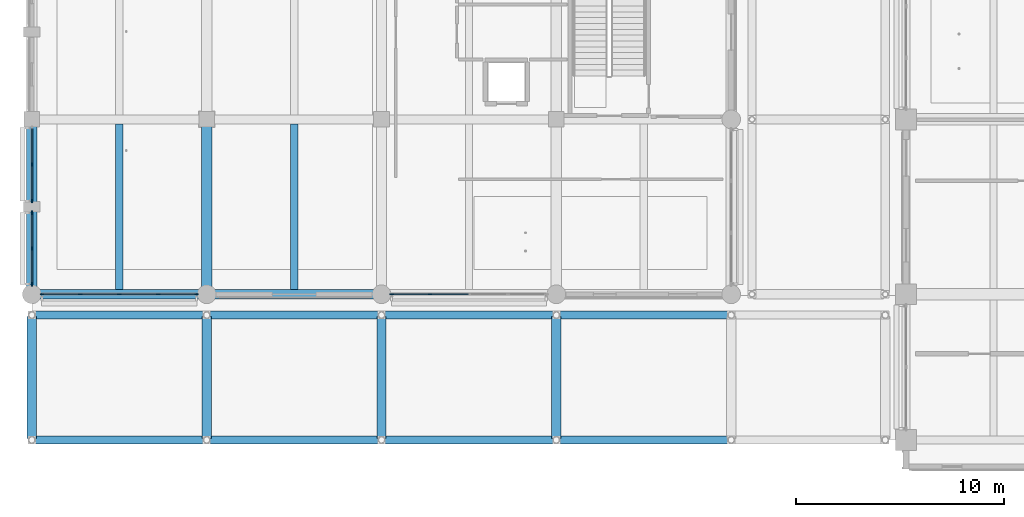
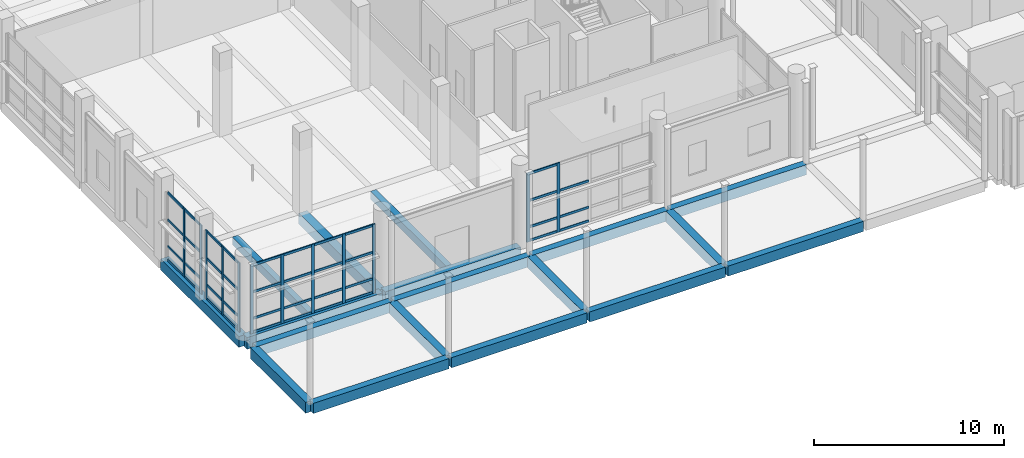
# One storey, part 17 of 140: 51 members, 18 beams, 4 elements without a shape of their own.
"""IFC4 building model written with IfcOpenShell, lengths in metres."""

from ifc_helpers import new_model, si_unit, direction, frame, origin, origin_2d, place, context, subcontext, project, spatial, rectangle, extrude, material, layer, layer_set, material_profile, profile_set, type_object, element, aggregate, save


model = new_model("IFC4")

# Units and contexts
model_context = context("Model", 3, precision=1e-05, world=origin(), true_north=direction((0.0, 1.0)))
body_context = subcontext(model_context, "Body", "Model", "MODEL_VIEW")
ifc_project = project(units=[si_unit("LENGTHUNIT", "METRE"), si_unit("AREAUNIT", "SQUARE_METRE"), si_unit("VOLUMEUNIT", "CUBIC_METRE"), si_unit("PLANEANGLEUNIT", "RADIAN"), si_unit("MASSUNIT", "GRAM", prefix="KILO")], contexts=[model_context])

# Site, building, storey
site_placement = place(None, origin())
site = spatial("IfcSite", under=ifc_project, at=site_placement, CompositionType="ELEMENT")
building_placement = place(site_placement, origin())
building = spatial("IfcBuilding", under=site, at=building_placement, Name="Telukmera Botanical Conservatory", CompositionType="ELEMENT")
storey_placement = place(building_placement, origin())
storey = spatial("IfcBuildingStorey", under=building, at=storey_placement, Name="L00", CompositionType="ELEMENT", Elevation=0.0)

# Beams
ifc_material_1 = material(Name="Concrete C40/50", Category="concrete")
ifc_material_profile_1 = material_profile(ifc_material_1, rectangle(XDim=0.5, YDim=0.699951171875, at=origin_2d()), Name="RC 500x700")
ifc_profile_set_1 = profile_set([ifc_material_profile_1], Name="Concrete C40/50")
beam_type_1 = type_object("IfcBeamType", Name="Beam_B14", PredefinedType="BEAM", material=ifc_profile_set_1)
for number, where, z_axis, x_axis, name in (
    (1, (8.39990234375, 17.679931640625, -0.35009765625), (0.0, 1.0, 0.0), (-1.0, 0.0, 0.0), "Visitor Wing Transverse Beam L00"),
    (2, (16.800048828125, 17.679931640625, -0.35009765625), (0.0, 1.0, 0.0), (-1.0, 0.0, 0.0), "Visitor Wing Transverse Beam L00"),
):
    element("IfcBeam", number, at=place(storey_placement, frame(where, z_axis=z_axis, x_axis=x_axis)), inside=storey, type_object=beam_type_1, Name=name, PredefinedType="BEAM", context=body_context, shape_type="SweptSolid", body=[
        extrude(rectangle(XDim=0.5, YDim=0.699951171875, at=origin_2d()), origin(), (0.0, 0.0, 1.0), 8.239990234375),
    ])
ifc_material_profile_2 = material_profile(ifc_material_1, rectangle(XDim=0.449951171875, YDim=0.699951171875, at=origin_2d()), Name="RC 450x700")
ifc_profile_set_2 = profile_set([ifc_material_profile_2], Name="Concrete C40/50")
beam_type_2 = type_object("IfcBeamType", Name="Beam_B15", PredefinedType="BEAM", material=ifc_profile_set_2)
for number, where, z_axis, x_axis, name in (
    (3, (8.39990234375, 10.679931640625, -0.35009765625), (0.0, 1.0, 0.0), (-1.0, 0.0, 0.0), "Forecourt Deck Transverse Beam L00"),
    (4, (16.800048828125, 10.679931640625, -0.35009765625), (0.0, 1.0, 0.0), (-1.0, 0.0, 0.0), "Forecourt Deck Transverse Beam L00"),
    (5, (25.199951171875, 10.679931640625, -0.35009765625), (0.0, 1.0, 0.0), (-1.0, 0.0, 0.0), "Forecourt Deck Transverse Beam L00"),
    (6, (33.60009765625, 10.679931640625, -0.35009765625), (0.0, 1.0, 0.0), (-1.0, 0.0, 0.0), "Forecourt Deck Transverse Beam L00"),
):
    element("IfcBeam", number, at=place(storey_placement, frame(where, z_axis=z_axis, x_axis=x_axis)), inside=storey, type_object=beam_type_2, Name=name, PredefinedType="BEAM", context=body_context, shape_type="SweptSolid", body=[
        extrude(rectangle(XDim=0.449951171875, YDim=0.699951171875, at=origin_2d()), origin(), (0.0, 0.0, 1.0), 5.840087890625),
    ])
ifc_material_profile_3 = material_profile(ifc_material_1, rectangle(XDim=0.35009765625, YDim=0.5, at=origin_2d()), Name="RC 350x500")
ifc_profile_set_3 = profile_set([ifc_material_profile_3], Name="Concrete C40/50")
beam_type_3 = type_object("IfcBeamType", Name="Beam_B22", PredefinedType="JOIST", material=ifc_profile_set_3)
for number, where, z_axis, x_axis, name in (
    (7, (12.60009765625, 17.824951171875, -0.25), (0.0, 1.0, 0.0), (-1.0, 0.0, 0.0), "Visitor Wing Floor Joist L00"),
    (8, (21.0, 17.824951171875, -0.25), (0.0, 1.0, 0.0), (-1.0, 0.0, 0.0), "Visitor Wing Floor Joist L00"),
):
    element("IfcBeam", number, at=place(storey_placement, frame(where, z_axis=z_axis, x_axis=x_axis)), inside=storey, type_object=beam_type_3, Name=name, PredefinedType="JOIST", context=body_context, shape_type="SweptSolid", body=[
        extrude(rectangle(XDim=0.35009765625, YDim=0.5, at=origin_2d()), origin(), (0.0, 0.0, 1.0), 7.949951171875),
    ])
ifc_material_profile_4 = material_profile(ifc_material_1, rectangle(XDim=0.449951171875, YDim=0.75, at=origin_2d()), Name="RC 450x750")
ifc_profile_set_4 = profile_set([ifc_material_profile_4], Name="Concrete C40/50")
beam_type_4 = type_object("IfcBeamType", Name="Beam_B6", PredefinedType="BEAM", material=ifc_profile_set_4)
beam_1_placement = place(storey_placement, frame((8.47998046875, 17.60009765625, -0.375), z_axis=(1.0, 0.0, 0.0), x_axis=(0.0, 1.0, 0.0)))
element("IfcBeam", 9, at=beam_1_placement, inside=storey, type_object=beam_type_4, Name="Visitor Wing Grid Beam L00", PredefinedType="BEAM", context=body_context, shape_type="SweptSolid", body=[
    extrude(rectangle(XDim=0.449951171875, YDim=0.75, at=origin_2d()), origin(), (0.0, 0.0, 1.0), 8.239990234375),
])
beam_2_placement = place(storey_placement, frame((16.8798828125, 17.60009765625, -0.375), z_axis=(1.0, 0.0, 0.0), x_axis=(0.0, 1.0, 0.0)))
element("IfcBeam", 10, at=beam_2_placement, inside=storey, type_object=beam_type_4, Name="Visitor Wing Grid Beam L00", PredefinedType="BEAM", context=body_context, shape_type="SweptSolid", body=[
    extrude(rectangle(XDim=0.449951171875, YDim=0.75, at=origin_2d()), origin(), (0.0, 0.0, 1.0), 8.240234375),
])
ifc_material_profile_5 = material_profile(ifc_material_1, rectangle(XDim=0.39990234375, YDim=0.64990234375, at=origin_2d()), Name="RC 400x650")
ifc_profile_set_5 = profile_set([ifc_material_profile_5], Name="Concrete C40/50")
beam_type_5 = type_object("IfcBeamType", Name="Beam_B8", PredefinedType="BEAM", material=ifc_profile_set_5)
beam_3_placement = place(storey_placement, frame((8.47998046875, 10.60009765625, -0.324951171875), z_axis=(1.0, 0.0, 0.0), x_axis=(0.0, 1.0, 0.0)))
element("IfcBeam", 11, at=beam_3_placement, inside=storey, type_object=beam_type_5, Name="Forecourt Deck Girder L00", PredefinedType="BEAM", context=body_context, shape_type="SweptSolid", body=[
    extrude(rectangle(XDim=0.39990234375, YDim=0.64990234375, at=origin_2d()), origin(), (0.0, 0.0, 1.0), 8.239990234375),
])
beam_4_placement = place(storey_placement, frame((16.8798828125, 10.60009765625, -0.324951171875), z_axis=(1.0, 0.0, 0.0), x_axis=(0.0, 1.0, 0.0)))
element("IfcBeam", 12, at=beam_4_placement, inside=storey, type_object=beam_type_5, Name="Forecourt Deck Girder L00", PredefinedType="BEAM", context=body_context, shape_type="SweptSolid", body=[
    extrude(rectangle(XDim=0.39990234375, YDim=0.64990234375, at=origin_2d()), origin(), (0.0, 0.0, 1.0), 8.240234375),
])
for number, where, z_axis, x_axis, name in (
    (13, (25.280029296875, 10.60009765625, -0.324951171875), (1.0, 0.0, 0.0), (0.0, 1.0, 0.0), "Forecourt Deck Girder L00"),
    (14, (33.679931640625, 10.60009765625, -0.324951171875), (1.0, 0.0, 0.0), (0.0, 1.0, 0.0), "Forecourt Deck Girder L00"),
    (15, (8.47998046875, 16.60009765625, -0.324951171875), (1.0, 0.0, 0.0), (0.0, 1.0, 0.0), "Forecourt Deck Girder L00"),
):
    element("IfcBeam", number, at=place(storey_placement, frame(where, z_axis=z_axis, x_axis=x_axis)), inside=storey, type_object=beam_type_5, Name=name, PredefinedType="BEAM", context=body_context, shape_type="SweptSolid", body=[
        extrude(rectangle(XDim=0.39990234375, YDim=0.64990234375, at=origin_2d()), origin(), (0.0, 0.0, 1.0), 8.239990234375),
    ])
beam_5_placement = place(storey_placement, frame((16.8798828125, 16.60009765625, -0.324951171875), z_axis=(1.0, 0.0, 0.0), x_axis=(0.0, 1.0, 0.0)))
element("IfcBeam", 16, at=beam_5_placement, inside=storey, type_object=beam_type_5, Name="Forecourt Deck Girder L00", PredefinedType="BEAM", context=body_context, shape_type="SweptSolid", body=[
    extrude(rectangle(XDim=0.39990234375, YDim=0.64990234375, at=origin_2d()), origin(), (0.0, 0.0, 1.0), 8.240234375),
])
for number, where, z_axis, x_axis, name in (
    (17, (25.280029296875, 16.60009765625, -0.324951171875), (1.0, 0.0, 0.0), (0.0, 1.0, 0.0), "Forecourt Deck Girder L00"),
    (18, (33.679931640625, 16.60009765625, -0.324951171875), (1.0, 0.0, 0.0), (0.0, 1.0, 0.0), "Forecourt Deck Girder L00"),
):
    element("IfcBeam", number, at=place(storey_placement, frame(where, z_axis=z_axis, x_axis=x_axis)), inside=storey, type_object=beam_type_5, Name=name, PredefinedType="BEAM", context=body_context, shape_type="SweptSolid", body=[
        extrude(rectangle(XDim=0.39990234375, YDim=0.64990234375, at=origin_2d()), origin(), (0.0, 0.0, 1.0), 8.239990234375),
    ])

# Curtain wall, members
ifc_material_2 = material(Name="Anodised aluminium 6063-T6", Category="aluminium")
ifc_layer = layer(ifc_material_2, 0.179931640625)
ifc_layer_set = layer_set([ifc_layer], Name="Anodised aluminium 6063-T6")
curtain_wall_type = type_object("IfcCurtainWallType", Name="Visitor Colonnade Ground Curtain Wall 1800 Mod", PredefinedType="USERDEFINED", material=ifc_layer_set)
curtain_wall_1_placement = place(storey_placement, origin())
curtain_wall_1 = element("IfcCurtainWall", 19, at=curtain_wall_1_placement, inside=storey, type_object=curtain_wall_type, Name="Unitised Curtain Wall CW06 V3:L00:S1", ObjectType="UNITISED CURTAIN WALL", PredefinedType="USERDEFINED")
ifc_material_profile_6 = material_profile(ifc_material_2, rectangle(XDim=0.070068359375, YDim=0.179931640625, at=origin_2d()), Name="ALU MULL 70x180")
ifc_profile_set_6 = profile_set([ifc_material_profile_6], Name="Anodised aluminium 6063-T6")
member_type_1 = type_object("IfcMemberType", Name="Curtain Wall Extruded Mullion 70x180", PredefinedType="MULLION", material=ifc_profile_set_6)
member_1_placement = place(storey_placement, frame((8.886962890625, 17.60009765625, 0.0), z_axis=(0.0, 0.0, 1.0), x_axis=(0.0, 1.0, 0.0)))
member_1 = element("IfcMember", 20, at=member_1_placement, type_object=member_type_1, Name="CW06 mullion 1", PredefinedType="MULLION", context=body_context, shape_type="SweptSolid", body=[
    extrude(rectangle(XDim=0.070068359375, YDim=0.179931640625, at=origin_2d()), origin(), (0.0, 0.0, 1.0), 4.449951171875),
])
member_2_placement = place(storey_placement, frame((10.72607421875, 17.60009765625, 0.0), z_axis=(0.0, 0.0, 1.0), x_axis=(0.0, 1.0, 0.0)))
member_2 = element("IfcMember", 21, at=member_2_placement, type_object=member_type_1, Name="CW06 mullion 2", PredefinedType="MULLION", context=body_context, shape_type="SweptSolid", body=[
    extrude(rectangle(XDim=0.070068359375, YDim=0.179931640625, at=origin_2d()), origin(), (0.0, 0.0, 1.0), 4.449951171875),
])
member_3_placement = place(storey_placement, frame((12.60009765625, 17.60009765625, 0.0), z_axis=(0.0, 0.0, 1.0), x_axis=(0.0, 1.0, 0.0)))
member_3 = element("IfcMember", 22, at=member_3_placement, type_object=member_type_1, Name="CW06 mullion 3", PredefinedType="MULLION", context=body_context, shape_type="SweptSolid", body=[
    extrude(rectangle(XDim=0.070068359375, YDim=0.179931640625, at=origin_2d()), origin(), (0.0, 0.0, 1.0), 4.449951171875),
])
member_4_placement = place(storey_placement, frame((14.47412109375, 17.60009765625, 0.0), z_axis=(0.0, 0.0, 1.0), x_axis=(0.0, 1.0, 0.0)))
member_4 = element("IfcMember", 23, at=member_4_placement, type_object=member_type_1, Name="CW06 mullion 4", PredefinedType="MULLION", context=body_context, shape_type="SweptSolid", body=[
    extrude(rectangle(XDim=0.070068359375, YDim=0.179931640625, at=origin_2d()), origin(), (0.0, 0.0, 1.0), 4.449951171875),
])
member_5_placement = place(storey_placement, frame((16.31298828125, 17.60009765625, 0.0), z_axis=(0.0, 0.0, 1.0), x_axis=(0.0, 1.0, 0.0)))
member_5 = element("IfcMember", 24, at=member_5_placement, type_object=member_type_1, Name="CW06 mullion 5", PredefinedType="MULLION", context=body_context, shape_type="SweptSolid", body=[
    extrude(rectangle(XDim=0.070068359375, YDim=0.179931640625, at=origin_2d()), origin(), (0.0, 0.0, 1.0), 4.449951171875),
])

curtain_wall_2_placement = place(storey_placement, origin())
curtain_wall_2 = element("IfcCurtainWall", 25, at=curtain_wall_2_placement, inside=storey, type_object=curtain_wall_type, Name="Unitised Curtain Wall CW06 V3:L00:S3", ObjectType="UNITISED CURTAIN WALL", PredefinedType="USERDEFINED")
member_6_placement = place(storey_placement, frame((25.68701171875, 17.60009765625, 0.0), z_axis=(0.0, 0.0, 1.0), x_axis=(0.0, 1.0, 0.0)))
member_6 = element("IfcMember", 26, at=member_6_placement, type_object=member_type_1, Name="CW06 mullion 1", PredefinedType="MULLION", context=body_context, shape_type="SweptSolid", body=[
    extrude(rectangle(XDim=0.070068359375, YDim=0.179931640625, at=origin_2d()), origin(), (0.0, 0.0, 1.0), 4.449951171875),
])
member_7_placement = place(storey_placement, frame((27.52587890625, 17.60009765625, 0.0), z_axis=(0.0, 0.0, 1.0), x_axis=(0.0, 1.0, 0.0)))
member_7 = element("IfcMember", 27, at=member_7_placement, type_object=member_type_1, Name="CW06 mullion 2", PredefinedType="MULLION", context=body_context, shape_type="SweptSolid", body=[
    extrude(rectangle(XDim=0.070068359375, YDim=0.179931640625, at=origin_2d()), origin(), (0.0, 0.0, 1.0), 4.449951171875),
])

curtain_wall_3_placement = place(storey_placement, origin())
curtain_wall_3 = element("IfcCurtainWall", 28, at=curtain_wall_3_placement, inside=storey, type_object=curtain_wall_type, Name="Unitised Curtain Wall CW06 V3:L00:W1A", ObjectType="UNITISED CURTAIN WALL", PredefinedType="USERDEFINED")
member_8_placement = place(storey_placement, frame((8.39990234375, 18.0869140625, 0.0), z_axis=(0.0, 0.0, 1.0), x_axis=(-1.0, 0.0, 0.0)))
member_8 = element("IfcMember", 29, at=member_8_placement, type_object=member_type_1, Name="CW06 mullion 1", PredefinedType="MULLION", context=body_context, shape_type="SweptSolid", body=[
    extrude(rectangle(XDim=0.070068359375, YDim=0.179931640625, at=origin_2d()), origin(), (0.0, 0.0, 1.0), 4.449951171875),
])
member_9_placement = place(storey_placement, frame((8.39990234375, 19.800048828125, 0.0), z_axis=(0.0, 0.0, 1.0), x_axis=(-1.0, 0.0, 0.0)))
member_9 = element("IfcMember", 30, at=member_9_placement, type_object=member_type_1, Name="CW06 mullion 2", PredefinedType="MULLION", context=body_context, shape_type="SweptSolid", body=[
    extrude(rectangle(XDim=0.070068359375, YDim=0.179931640625, at=origin_2d()), origin(), (0.0, 0.0, 1.0), 4.449951171875),
])
member_10_placement = place(storey_placement, frame((8.39990234375, 21.512939453125, 0.0), z_axis=(0.0, 0.0, 1.0), x_axis=(-1.0, 0.0, 0.0)))
member_10 = element("IfcMember", 31, at=member_10_placement, type_object=member_type_1, Name="CW06 mullion 3", PredefinedType="MULLION", context=body_context, shape_type="SweptSolid", body=[
    extrude(rectangle(XDim=0.070068359375, YDim=0.179931640625, at=origin_2d()), origin(), (0.0, 0.0, 1.0), 4.449951171875),
])

curtain_wall_4_placement = place(storey_placement, origin())
curtain_wall_4 = element("IfcCurtainWall", 32, at=curtain_wall_4_placement, inside=storey, type_object=curtain_wall_type, Name="Unitised Curtain Wall CW06 V3:L00:W1B", ObjectType="UNITISED CURTAIN WALL", PredefinedType="USERDEFINED")
member_11_placement = place(storey_placement, frame((8.39990234375, 22.0869140625, 0.0), z_axis=(0.0, 0.0, 1.0), x_axis=(-1.0, 0.0, 0.0)))
member_11 = element("IfcMember", 33, at=member_11_placement, type_object=member_type_1, Name="CW06 mullion 1", PredefinedType="MULLION", context=body_context, shape_type="SweptSolid", body=[
    extrude(rectangle(XDim=0.070068359375, YDim=0.179931640625, at=origin_2d()), origin(), (0.0, 0.0, 1.0), 4.449951171875),
])
member_12_placement = place(storey_placement, frame((8.39990234375, 23.83740234375, 0.0), z_axis=(0.0, 0.0, 1.0), x_axis=(-1.0, 0.0, 0.0)))
member_12 = element("IfcMember", 34, at=member_12_placement, type_object=member_type_1, Name="CW06 mullion 2", PredefinedType="MULLION", context=body_context, shape_type="SweptSolid", body=[
    extrude(rectangle(XDim=0.070068359375, YDim=0.179931640625, at=origin_2d()), origin(), (0.0, 0.0, 1.0), 4.449951171875),
])

# Member
ifc_material_profile_7 = material_profile(ifc_material_2, rectangle(XDim=0.070068359375, YDim=0.14990234375, at=origin_2d()), Name="ALU TRAN 70x150")
ifc_profile_set_7 = profile_set([ifc_material_profile_7], Name="Anodised aluminium 6063-T6")
member_type_2 = type_object("IfcMemberType", Name="Curtain Wall Extruded Transom 70x150", PredefinedType="USERDEFINED", material=ifc_profile_set_7)
member_13_placement = place(storey_placement, frame((8.922119140625, 17.60009765625, 0.074951171875), z_axis=(1.0, 0.0, 0.0), x_axis=(0.0, 1.0, 0.0)))
member_13 = element("IfcMember", 35, at=member_13_placement, type_object=member_type_2, Name="CW06 transom 1.1", ObjectType="TRANSOM", PredefinedType="USERDEFINED", context=body_context, shape_type="SweptSolid", body=[
    extrude(rectangle(XDim=0.070068359375, YDim=0.14990234375, at=origin_2d()), origin(), (0.0, 0.0, 1.0), 1.768798828125),
])

member_14_placement = place(storey_placement, frame((8.922119140625, 17.60009765625, 0.949951171875), z_axis=(1.0, 0.0, 0.0), x_axis=(0.0, 1.0, 0.0)))
member_14 = element("IfcMember", 36, at=member_14_placement, type_object=member_type_2, Name="CW06 transom 1.2", ObjectType="TRANSOM", PredefinedType="USERDEFINED", context=body_context, shape_type="SweptSolid", body=[
    extrude(rectangle(XDim=0.070068359375, YDim=0.14990234375, at=origin_2d()), origin(), (0.0, 0.0, 1.0), 1.768798828125),
])

member_15_placement = place(storey_placement, frame((8.922119140625, 17.60009765625, 2.64990234375), z_axis=(1.0, 0.0, 0.0), x_axis=(0.0, 1.0, 0.0)))
member_15 = element("IfcMember", 37, at=member_15_placement, type_object=member_type_2, Name="CW06 transom 1.3", ObjectType="TRANSOM", PredefinedType="USERDEFINED", context=body_context, shape_type="SweptSolid", body=[
    extrude(rectangle(XDim=0.070068359375, YDim=0.14990234375, at=origin_2d()), origin(), (0.0, 0.0, 1.0), 1.768798828125),
])

member_16_placement = place(storey_placement, frame((8.922119140625, 17.60009765625, 4.375), z_axis=(1.0, 0.0, 0.0), x_axis=(0.0, 1.0, 0.0)))
member_16 = element("IfcMember", 38, at=member_16_placement, type_object=member_type_2, Name="CW06 transom 1.4", ObjectType="TRANSOM", PredefinedType="USERDEFINED", context=body_context, shape_type="SweptSolid", body=[
    extrude(rectangle(XDim=0.070068359375, YDim=0.14990234375, at=origin_2d()), origin(), (0.0, 0.0, 1.0), 1.768798828125),
])

member_17_placement = place(storey_placement, frame((10.760986328125, 17.60009765625, 0.074951171875), z_axis=(1.0, 0.0, 0.0), x_axis=(0.0, 1.0, 0.0)))
member_17 = element("IfcMember", 39, at=member_17_placement, type_object=member_type_2, Name="CW06 transom 2.1", ObjectType="TRANSOM", PredefinedType="USERDEFINED", context=body_context, shape_type="SweptSolid", body=[
    extrude(rectangle(XDim=0.070068359375, YDim=0.14990234375, at=origin_2d()), origin(), (0.0, 0.0, 1.0), 1.803955078125),
])

member_18_placement = place(storey_placement, frame((10.760986328125, 17.60009765625, 0.949951171875), z_axis=(1.0, 0.0, 0.0), x_axis=(0.0, 1.0, 0.0)))
member_18 = element("IfcMember", 40, at=member_18_placement, type_object=member_type_2, Name="CW06 transom 2.2", ObjectType="TRANSOM", PredefinedType="USERDEFINED", context=body_context, shape_type="SweptSolid", body=[
    extrude(rectangle(XDim=0.070068359375, YDim=0.14990234375, at=origin_2d()), origin(), (0.0, 0.0, 1.0), 1.803955078125),
])

member_19_placement = place(storey_placement, frame((10.760986328125, 17.60009765625, 2.64990234375), z_axis=(1.0, 0.0, 0.0), x_axis=(0.0, 1.0, 0.0)))
member_19 = element("IfcMember", 41, at=member_19_placement, type_object=member_type_2, Name="CW06 transom 2.3", ObjectType="TRANSOM", PredefinedType="USERDEFINED", context=body_context, shape_type="SweptSolid", body=[
    extrude(rectangle(XDim=0.070068359375, YDim=0.14990234375, at=origin_2d()), origin(), (0.0, 0.0, 1.0), 1.803955078125),
])

member_20_placement = place(storey_placement, frame((10.760986328125, 17.60009765625, 4.375), z_axis=(1.0, 0.0, 0.0), x_axis=(0.0, 1.0, 0.0)))
member_20 = element("IfcMember", 42, at=member_20_placement, type_object=member_type_2, Name="CW06 transom 2.4", ObjectType="TRANSOM", PredefinedType="USERDEFINED", context=body_context, shape_type="SweptSolid", body=[
    extrude(rectangle(XDim=0.070068359375, YDim=0.14990234375, at=origin_2d()), origin(), (0.0, 0.0, 1.0), 1.803955078125),
])

member_21_placement = place(storey_placement, frame((12.635009765625, 17.60009765625, 0.074951171875), z_axis=(1.0, 0.0, 0.0), x_axis=(0.0, 1.0, 0.0)))
member_21 = element("IfcMember", 43, at=member_21_placement, type_object=member_type_2, Name="CW06 transom 3.1", ObjectType="TRANSOM", PredefinedType="USERDEFINED", context=body_context, shape_type="SweptSolid", body=[
    extrude(rectangle(XDim=0.070068359375, YDim=0.14990234375, at=origin_2d()), origin(), (0.0, 0.0, 1.0), 1.803955078125),
])

member_22_placement = place(storey_placement, frame((12.635009765625, 17.60009765625, 0.949951171875), z_axis=(1.0, 0.0, 0.0), x_axis=(0.0, 1.0, 0.0)))
member_22 = element("IfcMember", 44, at=member_22_placement, type_object=member_type_2, Name="CW06 transom 3.2", ObjectType="TRANSOM", PredefinedType="USERDEFINED", context=body_context, shape_type="SweptSolid", body=[
    extrude(rectangle(XDim=0.070068359375, YDim=0.14990234375, at=origin_2d()), origin(), (0.0, 0.0, 1.0), 1.803955078125),
])

member_23_placement = place(storey_placement, frame((12.635009765625, 17.60009765625, 2.64990234375), z_axis=(1.0, 0.0, 0.0), x_axis=(0.0, 1.0, 0.0)))
member_23 = element("IfcMember", 45, at=member_23_placement, type_object=member_type_2, Name="CW06 transom 3.3", ObjectType="TRANSOM", PredefinedType="USERDEFINED", context=body_context, shape_type="SweptSolid", body=[
    extrude(rectangle(XDim=0.070068359375, YDim=0.14990234375, at=origin_2d()), origin(), (0.0, 0.0, 1.0), 1.803955078125),
])

member_24_placement = place(storey_placement, frame((12.635009765625, 17.60009765625, 4.375), z_axis=(1.0, 0.0, 0.0), x_axis=(0.0, 1.0, 0.0)))
member_24 = element("IfcMember", 46, at=member_24_placement, type_object=member_type_2, Name="CW06 transom 3.4", ObjectType="TRANSOM", PredefinedType="USERDEFINED", context=body_context, shape_type="SweptSolid", body=[
    extrude(rectangle(XDim=0.070068359375, YDim=0.14990234375, at=origin_2d()), origin(), (0.0, 0.0, 1.0), 1.803955078125),
])

member_25_placement = place(storey_placement, frame((14.509033203125, 17.60009765625, 0.074951171875), z_axis=(1.0, 0.0, 0.0), x_axis=(0.0, 1.0, 0.0)))
member_25 = element("IfcMember", 47, at=member_25_placement, type_object=member_type_2, Name="CW06 transom 4.1", ObjectType="TRANSOM", PredefinedType="USERDEFINED", context=body_context, shape_type="SweptSolid", body=[
    extrude(rectangle(XDim=0.070068359375, YDim=0.14990234375, at=origin_2d()), origin(), (0.0, 0.0, 1.0), 1.76904296875),
])

member_26_placement = place(storey_placement, frame((14.509033203125, 17.60009765625, 0.949951171875), z_axis=(1.0, 0.0, 0.0), x_axis=(0.0, 1.0, 0.0)))
member_26 = element("IfcMember", 48, at=member_26_placement, type_object=member_type_2, Name="CW06 transom 4.2", ObjectType="TRANSOM", PredefinedType="USERDEFINED", context=body_context, shape_type="SweptSolid", body=[
    extrude(rectangle(XDim=0.070068359375, YDim=0.14990234375, at=origin_2d()), origin(), (0.0, 0.0, 1.0), 1.76904296875),
])

member_27_placement = place(storey_placement, frame((14.509033203125, 17.60009765625, 2.64990234375), z_axis=(1.0, 0.0, 0.0), x_axis=(0.0, 1.0, 0.0)))
member_27 = element("IfcMember", 49, at=member_27_placement, type_object=member_type_2, Name="CW06 transom 4.3", ObjectType="TRANSOM", PredefinedType="USERDEFINED", context=body_context, shape_type="SweptSolid", body=[
    extrude(rectangle(XDim=0.070068359375, YDim=0.14990234375, at=origin_2d()), origin(), (0.0, 0.0, 1.0), 1.76904296875),
])

member_28_placement = place(storey_placement, frame((14.509033203125, 17.60009765625, 4.375), z_axis=(1.0, 0.0, 0.0), x_axis=(0.0, 1.0, 0.0)))
member_28 = element("IfcMember", 50, at=member_28_placement, type_object=member_type_2, Name="CW06 transom 4.4", ObjectType="TRANSOM", PredefinedType="USERDEFINED", context=body_context, shape_type="SweptSolid", body=[
    extrude(rectangle(XDim=0.070068359375, YDim=0.14990234375, at=origin_2d()), origin(), (0.0, 0.0, 1.0), 1.76904296875),
])

aggregate(curtain_wall_1, [member_1, member_2, member_3, member_4, member_5, member_13, member_14, member_15, member_16, member_17, member_18, member_19, member_20, member_21, member_22, member_23, member_24, member_25, member_26, member_27, member_28])

member_29_placement = place(storey_placement, frame((25.721923828125, 17.60009765625, 0.074951171875), z_axis=(1.0, 0.0, 0.0), x_axis=(0.0, 1.0, 0.0)))
member_29 = element("IfcMember", 51, at=member_29_placement, type_object=member_type_2, Name="CW06 transom 1.1", ObjectType="TRANSOM", PredefinedType="USERDEFINED", context=body_context, shape_type="SweptSolid", body=[
    extrude(rectangle(XDim=0.070068359375, YDim=0.14990234375, at=origin_2d()), origin(), (0.0, 0.0, 1.0), 1.76904296875),
])

member_30_placement = place(storey_placement, frame((25.721923828125, 17.60009765625, 0.949951171875), z_axis=(1.0, 0.0, 0.0), x_axis=(0.0, 1.0, 0.0)))
member_30 = element("IfcMember", 52, at=member_30_placement, type_object=member_type_2, Name="CW06 transom 1.2", ObjectType="TRANSOM", PredefinedType="USERDEFINED", context=body_context, shape_type="SweptSolid", body=[
    extrude(rectangle(XDim=0.070068359375, YDim=0.14990234375, at=origin_2d()), origin(), (0.0, 0.0, 1.0), 1.76904296875),
])

member_31_placement = place(storey_placement, frame((25.721923828125, 17.60009765625, 2.64990234375), z_axis=(1.0, 0.0, 0.0), x_axis=(0.0, 1.0, 0.0)))
member_31 = element("IfcMember", 53, at=member_31_placement, type_object=member_type_2, Name="CW06 transom 1.3", ObjectType="TRANSOM", PredefinedType="USERDEFINED", context=body_context, shape_type="SweptSolid", body=[
    extrude(rectangle(XDim=0.070068359375, YDim=0.14990234375, at=origin_2d()), origin(), (0.0, 0.0, 1.0), 1.76904296875),
])

member_32_placement = place(storey_placement, frame((25.721923828125, 17.60009765625, 4.375), z_axis=(1.0, 0.0, 0.0), x_axis=(0.0, 1.0, 0.0)))
member_32 = element("IfcMember", 54, at=member_32_placement, type_object=member_type_2, Name="CW06 transom 1.4", ObjectType="TRANSOM", PredefinedType="USERDEFINED", context=body_context, shape_type="SweptSolid", body=[
    extrude(rectangle(XDim=0.070068359375, YDim=0.14990234375, at=origin_2d()), origin(), (0.0, 0.0, 1.0), 1.76904296875),
])

member_33_placement = place(storey_placement, frame((27.56103515625, 17.60009765625, 0.074951171875), z_axis=(1.0, 0.0, 0.0), x_axis=(0.0, 1.0, 0.0)))
member_33 = element("IfcMember", 55, at=member_33_placement, type_object=member_type_2, Name="CW06 transom 2.1", ObjectType="TRANSOM", PredefinedType="USERDEFINED", context=body_context, shape_type="SweptSolid", body=[
    extrude(rectangle(XDim=0.070068359375, YDim=0.14990234375, at=origin_2d()), origin(), (0.0, 0.0, 1.0), 1.803955078125),
])

member_34_placement = place(storey_placement, frame((27.56103515625, 17.60009765625, 0.949951171875), z_axis=(1.0, 0.0, 0.0), x_axis=(0.0, 1.0, 0.0)))
member_34 = element("IfcMember", 56, at=member_34_placement, type_object=member_type_2, Name="CW06 transom 2.2", ObjectType="TRANSOM", PredefinedType="USERDEFINED", context=body_context, shape_type="SweptSolid", body=[
    extrude(rectangle(XDim=0.070068359375, YDim=0.14990234375, at=origin_2d()), origin(), (0.0, 0.0, 1.0), 1.803955078125),
])

member_35_placement = place(storey_placement, frame((27.56103515625, 17.60009765625, 2.64990234375), z_axis=(1.0, 0.0, 0.0), x_axis=(0.0, 1.0, 0.0)))
member_35 = element("IfcMember", 57, at=member_35_placement, type_object=member_type_2, Name="CW06 transom 2.3", ObjectType="TRANSOM", PredefinedType="USERDEFINED", context=body_context, shape_type="SweptSolid", body=[
    extrude(rectangle(XDim=0.070068359375, YDim=0.14990234375, at=origin_2d()), origin(), (0.0, 0.0, 1.0), 1.803955078125),
])

aggregate(curtain_wall_2, [member_6, member_7, member_29, member_30, member_31, member_32, member_33, member_34, member_35])

member_36_placement = place(storey_placement, frame((8.39990234375, 18.1220703125, 0.074951171875), z_axis=(0.0, 1.0, 0.0), x_axis=(-1.0, 0.0, 0.0)))
member_36 = element("IfcMember", 58, at=member_36_placement, type_object=member_type_2, Name="CW06 transom 1.1", ObjectType="TRANSOM", PredefinedType="USERDEFINED", context=body_context, shape_type="SweptSolid", body=[
    extrude(rectangle(XDim=0.070068359375, YDim=0.14990234375, at=origin_2d()), origin(), (0.0, 0.0, 1.0), 1.642822265625),
])

member_37_placement = place(storey_placement, frame((8.39990234375, 18.1220703125, 0.949951171875), z_axis=(0.0, 1.0, 0.0), x_axis=(-1.0, 0.0, 0.0)))
member_37 = element("IfcMember", 59, at=member_37_placement, type_object=member_type_2, Name="CW06 transom 1.2", ObjectType="TRANSOM", PredefinedType="USERDEFINED", context=body_context, shape_type="SweptSolid", body=[
    extrude(rectangle(XDim=0.070068359375, YDim=0.14990234375, at=origin_2d()), origin(), (0.0, 0.0, 1.0), 1.642822265625),
])

member_38_placement = place(storey_placement, frame((8.39990234375, 18.1220703125, 2.64990234375), z_axis=(0.0, 1.0, 0.0), x_axis=(-1.0, 0.0, 0.0)))
member_38 = element("IfcMember", 60, at=member_38_placement, type_object=member_type_2, Name="CW06 transom 1.3", ObjectType="TRANSOM", PredefinedType="USERDEFINED", context=body_context, shape_type="SweptSolid", body=[
    extrude(rectangle(XDim=0.070068359375, YDim=0.14990234375, at=origin_2d()), origin(), (0.0, 0.0, 1.0), 1.642822265625),
])

member_39_placement = place(storey_placement, frame((8.39990234375, 18.1220703125, 4.375), z_axis=(0.0, 1.0, 0.0), x_axis=(-1.0, 0.0, 0.0)))
member_39 = element("IfcMember", 61, at=member_39_placement, type_object=member_type_2, Name="CW06 transom 1.4", ObjectType="TRANSOM", PredefinedType="USERDEFINED", context=body_context, shape_type="SweptSolid", body=[
    extrude(rectangle(XDim=0.070068359375, YDim=0.14990234375, at=origin_2d()), origin(), (0.0, 0.0, 1.0), 1.642822265625),
])

member_40_placement = place(storey_placement, frame((8.39990234375, 19.8349609375, 0.074951171875), z_axis=(0.0, 1.0, 0.0), x_axis=(-1.0, 0.0, 0.0)))
member_40 = element("IfcMember", 62, at=member_40_placement, type_object=member_type_2, Name="CW06 transom 2.1", ObjectType="TRANSOM", PredefinedType="USERDEFINED", context=body_context, shape_type="SweptSolid", body=[
    extrude(rectangle(XDim=0.070068359375, YDim=0.14990234375, at=origin_2d()), origin(), (0.0, 0.0, 1.0), 1.64306640625),
])

member_41_placement = place(storey_placement, frame((8.39990234375, 19.8349609375, 0.949951171875), z_axis=(0.0, 1.0, 0.0), x_axis=(-1.0, 0.0, 0.0)))
member_41 = element("IfcMember", 63, at=member_41_placement, type_object=member_type_2, Name="CW06 transom 2.2", ObjectType="TRANSOM", PredefinedType="USERDEFINED", context=body_context, shape_type="SweptSolid", body=[
    extrude(rectangle(XDim=0.070068359375, YDim=0.14990234375, at=origin_2d()), origin(), (0.0, 0.0, 1.0), 1.64306640625),
])

member_42_placement = place(storey_placement, frame((8.39990234375, 19.8349609375, 2.64990234375), z_axis=(0.0, 1.0, 0.0), x_axis=(-1.0, 0.0, 0.0)))
member_42 = element("IfcMember", 64, at=member_42_placement, type_object=member_type_2, Name="CW06 transom 2.3", ObjectType="TRANSOM", PredefinedType="USERDEFINED", context=body_context, shape_type="SweptSolid", body=[
    extrude(rectangle(XDim=0.070068359375, YDim=0.14990234375, at=origin_2d()), origin(), (0.0, 0.0, 1.0), 1.64306640625),
])

member_43_placement = place(storey_placement, frame((8.39990234375, 19.8349609375, 4.375), z_axis=(0.0, 1.0, 0.0), x_axis=(-1.0, 0.0, 0.0)))
member_43 = element("IfcMember", 65, at=member_43_placement, type_object=member_type_2, Name="CW06 transom 2.4", ObjectType="TRANSOM", PredefinedType="USERDEFINED", context=body_context, shape_type="SweptSolid", body=[
    extrude(rectangle(XDim=0.070068359375, YDim=0.14990234375, at=origin_2d()), origin(), (0.0, 0.0, 1.0), 1.64306640625),
])

aggregate(curtain_wall_3, [member_8, member_9, member_10, member_36, member_37, member_38, member_39, member_40, member_41, member_42, member_43])

member_44_placement = place(storey_placement, frame((8.39990234375, 22.1220703125, 0.074951171875), z_axis=(0.0, 1.0, 0.0), x_axis=(-1.0, 0.0, 0.0)))
member_44 = element("IfcMember", 66, at=member_44_placement, type_object=member_type_2, Name="CW06 transom 1.1", ObjectType="TRANSOM", PredefinedType="USERDEFINED", context=body_context, shape_type="SweptSolid", body=[
    extrude(rectangle(XDim=0.070068359375, YDim=0.14990234375, at=origin_2d()), origin(), (0.0, 0.0, 1.0), 1.680419921875),
])

member_45_placement = place(storey_placement, frame((8.39990234375, 22.1220703125, 0.949951171875), z_axis=(0.0, 1.0, 0.0), x_axis=(-1.0, 0.0, 0.0)))
member_45 = element("IfcMember", 67, at=member_45_placement, type_object=member_type_2, Name="CW06 transom 1.2", ObjectType="TRANSOM", PredefinedType="USERDEFINED", context=body_context, shape_type="SweptSolid", body=[
    extrude(rectangle(XDim=0.070068359375, YDim=0.14990234375, at=origin_2d()), origin(), (0.0, 0.0, 1.0), 1.680419921875),
])

member_46_placement = place(storey_placement, frame((8.39990234375, 22.1220703125, 2.64990234375), z_axis=(0.0, 1.0, 0.0), x_axis=(-1.0, 0.0, 0.0)))
member_46 = element("IfcMember", 68, at=member_46_placement, type_object=member_type_2, Name="CW06 transom 1.3", ObjectType="TRANSOM", PredefinedType="USERDEFINED", context=body_context, shape_type="SweptSolid", body=[
    extrude(rectangle(XDim=0.070068359375, YDim=0.14990234375, at=origin_2d()), origin(), (0.0, 0.0, 1.0), 1.680419921875),
])

member_47_placement = place(storey_placement, frame((8.39990234375, 22.1220703125, 4.375), z_axis=(0.0, 1.0, 0.0), x_axis=(-1.0, 0.0, 0.0)))
member_47 = element("IfcMember", 69, at=member_47_placement, type_object=member_type_2, Name="CW06 transom 1.4", ObjectType="TRANSOM", PredefinedType="USERDEFINED", context=body_context, shape_type="SweptSolid", body=[
    extrude(rectangle(XDim=0.070068359375, YDim=0.14990234375, at=origin_2d()), origin(), (0.0, 0.0, 1.0), 1.680419921875),
])

member_48_placement = place(storey_placement, frame((8.39990234375, 23.87255859375, 0.074951171875), z_axis=(0.0, 1.0, 0.0), x_axis=(-1.0, 0.0, 0.0)))
member_48 = element("IfcMember", 70, at=member_48_placement, type_object=member_type_2, Name="CW06 transom 2.1", ObjectType="TRANSOM", PredefinedType="USERDEFINED", context=body_context, shape_type="SweptSolid", body=[
    extrude(rectangle(XDim=0.070068359375, YDim=0.14990234375, at=origin_2d()), origin(), (0.0, 0.0, 1.0), 1.680419921875),
])

member_49_placement = place(storey_placement, frame((8.39990234375, 23.87255859375, 0.949951171875), z_axis=(0.0, 1.0, 0.0), x_axis=(-1.0, 0.0, 0.0)))
member_49 = element("IfcMember", 71, at=member_49_placement, type_object=member_type_2, Name="CW06 transom 2.2", ObjectType="TRANSOM", PredefinedType="USERDEFINED", context=body_context, shape_type="SweptSolid", body=[
    extrude(rectangle(XDim=0.070068359375, YDim=0.14990234375, at=origin_2d()), origin(), (0.0, 0.0, 1.0), 1.680419921875),
])

member_50_placement = place(storey_placement, frame((8.39990234375, 23.87255859375, 2.64990234375), z_axis=(0.0, 1.0, 0.0), x_axis=(-1.0, 0.0, 0.0)))
member_50 = element("IfcMember", 72, at=member_50_placement, type_object=member_type_2, Name="CW06 transom 2.3", ObjectType="TRANSOM", PredefinedType="USERDEFINED", context=body_context, shape_type="SweptSolid", body=[
    extrude(rectangle(XDim=0.070068359375, YDim=0.14990234375, at=origin_2d()), origin(), (0.0, 0.0, 1.0), 1.680419921875),
])

member_51_placement = place(storey_placement, frame((8.39990234375, 23.87255859375, 4.375), z_axis=(0.0, 1.0, 0.0), x_axis=(-1.0, 0.0, 0.0)))
member_51 = element("IfcMember", 73, at=member_51_placement, type_object=member_type_2, Name="CW06 transom 2.4", ObjectType="TRANSOM", PredefinedType="USERDEFINED", context=body_context, shape_type="SweptSolid", body=[
    extrude(rectangle(XDim=0.070068359375, YDim=0.14990234375, at=origin_2d()), origin(), (0.0, 0.0, 1.0), 1.680419921875),
])

aggregate(curtain_wall_4, [member_11, member_12, member_44, member_45, member_46, member_47, member_48, member_49, member_50, member_51])

save(model, "model.ifc")
